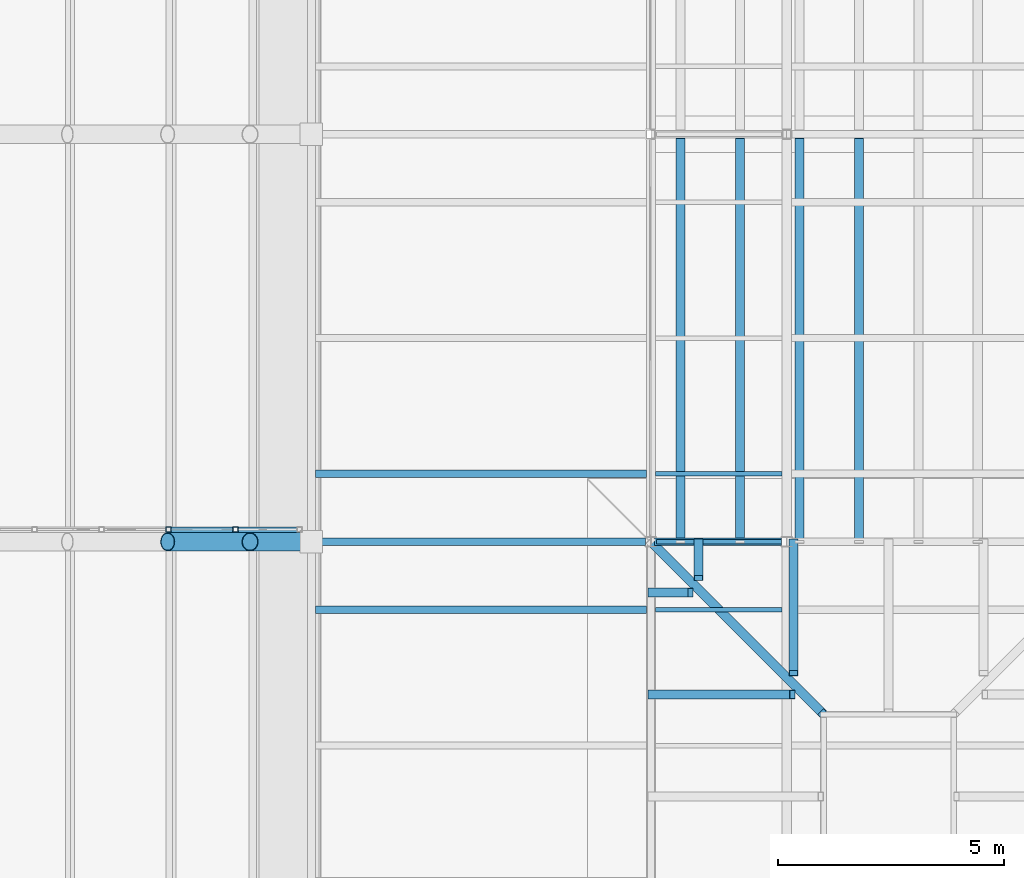
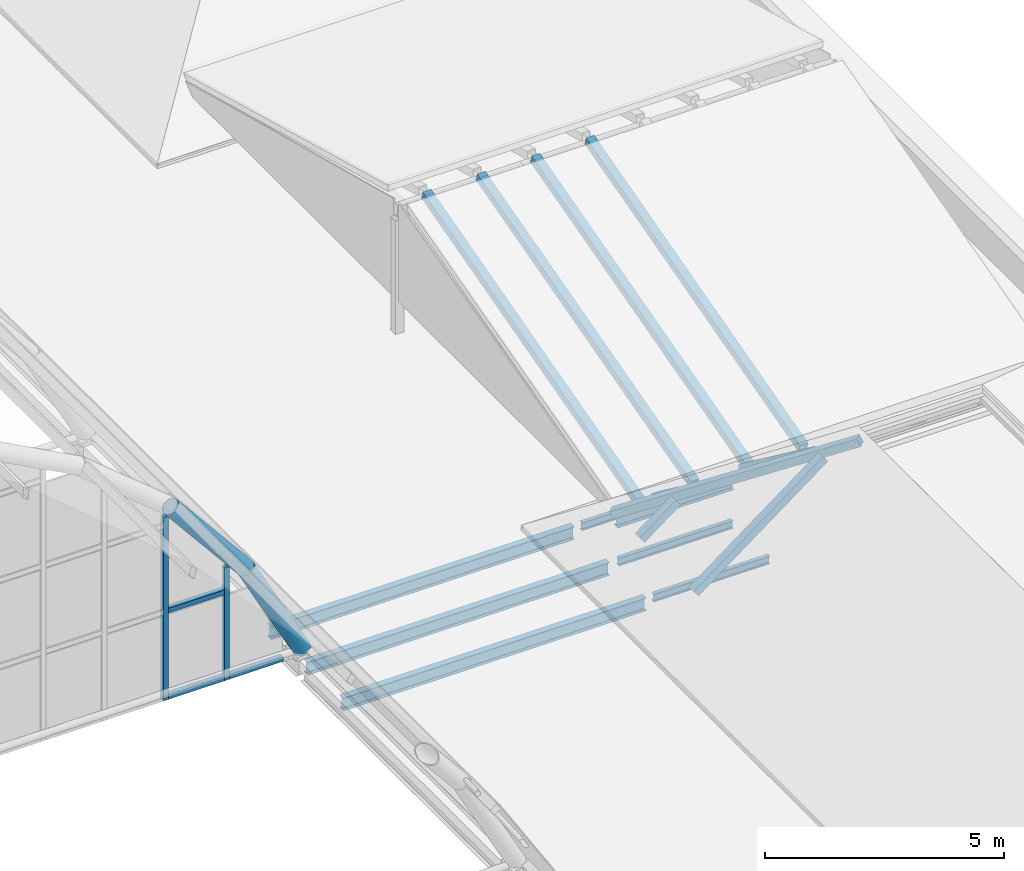
# One storey, part 31 of 121: 16 members, 7 beams, 1 element without a shape of its own.
"""IFC4 building model written with IfcOpenShell, lengths in metres."""

from ifc_helpers import new_model, si_unit, direction, frame, origin, origin_2d, place, context, subcontext, project, spatial, hollow_rectangle, hollow_circle, i_section, extrude, material, material_profile, profile_set, type_object, element, aggregate, save


model = new_model("IFC4")

# Units and contexts
model_context = context("Model", 3, precision=1e-05, world=origin(), true_north=direction((0.0, 1.0)))
body_context = subcontext(model_context, "Body", "Model", "MODEL_VIEW")
ifc_project = project(units=[si_unit("LENGTHUNIT", "METRE"), si_unit("AREAUNIT", "SQUARE_METRE"), si_unit("VOLUMEUNIT", "CUBIC_METRE"), si_unit("PLANEANGLEUNIT", "RADIAN"), si_unit("MASSUNIT", "GRAM", prefix="KILO")], contexts=[model_context])

# Site, building, storey
site_placement = place(None, origin())
site = spatial("IfcSite", under=ifc_project, at=site_placement, CompositionType="ELEMENT")
building_placement = place(site_placement, origin())
building = spatial("IfcBuilding", under=site, at=building_placement, Name="Golden Quay Civic Hall", CompositionType="ELEMENT")
storey_placement = place(building_placement, frame((0.0, 0.0, 18.60009765625)))
storey = spatial("IfcBuildingStorey", under=building, at=storey_placement, Name="L04", CompositionType="ELEMENT", Elevation=18.60009765625)

# Curtain wall, members
ifc_material_1 = material(Name="Fire-resisting glass and steel", Category="steel")
curtain_wall_type = type_object("IfcCurtainWallType", Name="Fire-resisting glazed curtain wall EI 120", PredefinedType="NOTDEFINED", material=ifc_material_1)
curtain_wall_placement = place(storey_placement, origin())
curtain_wall = element("IfcCurtainWall", 1, at=curtain_wall_placement, inside=storey, type_object=curtain_wall_type, Name="Curtain wall tympanum fire1", PredefinedType="NOTDEFINED")
ifc_material_2 = material(Name="Steel S355", Category="steel")
ifc_material_profile_1 = material_profile(ifc_material_2, hollow_rectangle(XDim=0.1201171875, YDim=0.1201171875, WallThickness=0.008056640625, at=origin_2d()), Name="SHS 120x120x8")
ifc_profile_set_1 = profile_set([ifc_material_profile_1], Name="Steel S355")
member_type_1 = type_object("IfcMemberType", Name="Fire-resisting steel mullion SHS 120x120x8", PredefinedType="MULLION", material=ifc_profile_set_1)
member_1_placement = place(storey_placement, frame((95.844482421875, 18.27001953125, -0.25), z_axis=(0.0, 0.0, 1.0), x_axis=(0.0, 1.0, 0.0)))
member_1 = element("IfcMember", 2, at=member_1_placement, type_object=member_type_1, Name="Tympanum mullion 17", PredefinedType="MULLION", context=body_context, shape_type="SweptSolid", body=[
    extrude(hollow_rectangle(XDim=0.1201171875, YDim=0.1201171875, WallThickness=0.008056640625, at=origin_2d()), origin(), (0.0, 0.0, 1.0), 4.6669921875),
])
member_2_placement = place(storey_placement, frame((97.322265625, 18.27001953125, -0.25), z_axis=(0.0, 0.0, 1.0), x_axis=(0.0, 1.0, 0.0)))
member_2 = element("IfcMember", 3, at=member_2_placement, type_object=member_type_1, Name="Tympanum mullion 18", PredefinedType="MULLION", context=body_context, shape_type="SweptSolid", body=[
    extrude(hollow_rectangle(XDim=0.1201171875, YDim=0.1201171875, WallThickness=0.008056640625, at=origin_2d()), origin(), (0.0, 0.0, 1.0), 2.8720703125),
])
ifc_material_3 = material(Name="Steel S355", Category="steel")
ifc_material_profile_2 = material_profile(ifc_material_3, hollow_rectangle(XDim=0.1201171875, YDim=0.1201171875, WallThickness=0.008056640625, at=origin_2d()), Name="SHS 120x120x8")
ifc_profile_set_2 = profile_set([ifc_material_profile_2], Name="Steel S355")
member_type_2 = type_object("IfcMemberType", Name="Fire-resisting steel transom SHS 120x120x8", PredefinedType="USERDEFINED", material=ifc_profile_set_2)
member_3_placement = place(storey_placement, frame((95.904541015625, 18.27001953125, -0.190185546875), z_axis=(1.0, 0.0, 0.0), x_axis=(0.0, 1.0, 0.0)))
member_3 = element("IfcMember", 4, at=member_3_placement, type_object=member_type_2, Name="Tympanum transom 17.1", ObjectType="TRANSOM", PredefinedType="USERDEFINED", context=body_context, shape_type="SweptSolid", body=[
    extrude(hollow_rectangle(XDim=0.1201171875, YDim=0.1201171875, WallThickness=0.008056640625, at=origin_2d()), origin(), (0.0, 0.0, 1.0), 1.357666015625),
])
member_4_placement = place(storey_placement, frame((95.904541015625, 18.27001953125, 2.010009765625), z_axis=(1.0, 0.0, 0.0), x_axis=(0.0, 1.0, 0.0)))
member_4 = element("IfcMember", 5, at=member_4_placement, type_object=member_type_2, Name="Tympanum transom 17.2", ObjectType="TRANSOM", PredefinedType="USERDEFINED", context=body_context, shape_type="SweptSolid", body=[
    extrude(hollow_rectangle(XDim=0.1201171875, YDim=0.1201171875, WallThickness=0.008056640625, at=origin_2d()), origin(), (0.0, 0.0, 1.0), 1.357666015625),
])
member_5_placement = place(storey_placement, frame((97.38232421875, 18.27001953125, -0.190185546875), z_axis=(1.0, 0.0, 0.0), x_axis=(0.0, 1.0, 0.0)))
member_5 = element("IfcMember", 6, at=member_5_placement, type_object=member_type_2, Name="Tympanum transom 18.1", ObjectType="TRANSOM", PredefinedType="USERDEFINED", context=body_context, shape_type="SweptSolid", body=[
    extrude(hollow_rectangle(XDim=0.1201171875, YDim=0.1201171875, WallThickness=0.008056640625, at=origin_2d()), origin(), (0.0, 0.0, 1.0), 1.297607421875),
])
aggregate(curtain_wall, [member_1, member_2, member_3, member_4, member_5])

# Members
ifc_material_4 = material(Name="Steel S355", Category="steel")
ifc_material_profile_3 = material_profile(ifc_material_4, hollow_circle(Radius=0.203125, WallThickness=0.01611328125, at=origin_2d()), Name="CHS 406.4x16")
ifc_profile_set_3 = profile_set([ifc_material_profile_3], Name="Steel S355")
member_type_3 = type_object("IfcMemberType", Name="Steel arch rib CHS 406.4x16", PredefinedType="USERDEFINED", material=ifc_profile_set_3)
for number, where, z_axis, x_axis, name in (
    (7, (95.826904296875, 18.0, 4.830810546875), (0.635608575128, 0.0, -0.772011489049), (0.0, 1.0, 0.0), "Arch rib 3 segment 11"),
    (8, (97.64599609375, 18.0, 2.621337890625), (0.473092307375, 0.0, -0.881012865231), (0.0, 1.0, 0.0), "Arch rib 3 segment 12"),
):
    element("IfcMember", number, at=place(storey_placement, frame(where, z_axis=z_axis, x_axis=x_axis)), inside=storey, type_object=member_type_3, Name=name, ObjectType="ARCH RIB", PredefinedType="USERDEFINED", context=body_context, shape_type="SweptSolid", body=[
        extrude(hollow_circle(Radius=0.203125, WallThickness=0.01611328125, at=origin_2d()), origin(), (0.0, 0.0, 1.0), 2.862060546875),
    ])

# Beams
ifc_material_5 = material(Name="Steel S355", Category="steel")
ifc_material_profile_4 = material_profile(ifc_material_5, i_section(OverallWidth=0.10009765625, OverallDepth=0.199951171875, WebThickness=0.005615234375, FlangeThickness=0.008544921875, FilletRadius=0.011962890625, at=origin_2d()), Name="IPE 200")
ifc_profile_set_4 = profile_set([ifc_material_profile_4], Name="Steel S355")
beam_type_1 = type_object("IfcBeamType", Name="Steel beam IPE 200", PredefinedType="BEAM", material=ifc_profile_set_4)
beam_1_placement = place(storey_placement, frame((106.6201171875, 18.0, -0.35009765625), z_axis=(1.0, 0.0, 0.0), x_axis=(0.0, 1.0, 0.0)))
element("IfcBeam", 9, at=beam_1_placement, inside=storey, type_object=beam_type_1, Name="Beam S18-106.5", PredefinedType="BEAM", context=body_context, shape_type="SweptSolid", body=[
    extrude(i_section(OverallWidth=0.10009765625, OverallDepth=0.199951171875, WebThickness=0.005615234375, FlangeThickness=0.008544921875, FilletRadius=0.011962890625, at=origin_2d()), origin(), (0.0, 0.0, 1.0), 2.759765625),
])
ifc_material_6 = material(Name="Steel S355", Category="steel")
ifc_material_profile_5 = material_profile(ifc_material_6, i_section(OverallWidth=0.159912109375, OverallDepth=0.330078125, WebThickness=0.007568359375, FlangeThickness=0.011474609375, FilletRadius=0.01806640625, at=origin_2d()), Name="IPE 330")
ifc_profile_set_5 = profile_set([ifc_material_profile_5], Name="Steel S355")
beam_type_2 = type_object("IfcBeamType", Name="Steel beam IPE 330", PredefinedType="BEAM", material=ifc_profile_set_5)
beam_2_placement = place(storey_placement, frame((99.10009765625, 18.0, -0.4150390625), z_axis=(1.0, 0.0, 0.0), x_axis=(0.0, 1.0, 0.0)))
element("IfcBeam", 10, at=beam_2_placement, inside=storey, type_object=beam_type_2, Name="Beam S18-99", PredefinedType="BEAM", context=body_context, shape_type="SweptSolid", body=[
    extrude(i_section(OverallWidth=0.159912109375, OverallDepth=0.330078125, WebThickness=0.007568359375, FlangeThickness=0.011474609375, FilletRadius=0.01806640625, at=origin_2d()), origin(), (0.0, 0.0, 1.0), 7.27978515625),
])

# Members
ifc_material_7 = material(Name="Steel S355", Category="steel")
ifc_material_profile_6 = material_profile(ifc_material_7, hollow_rectangle(XDim=0.199951171875, YDim=0.199951171875, WallThickness=0.010009765625, at=origin_2d()), Name="SHS 200x200x10")
ifc_profile_set_6 = profile_set([ifc_material_profile_6], Name="Steel S355")
member_type_4 = type_object("IfcMemberType", Name="Steel jack rafter SHS 200x200x10", PredefinedType="RAFTER", material=ifc_profile_set_6)
member_6_placement = place(storey_placement, frame((107.550048828125, 18.0, 0.96484375), z_axis=(0.0, -0.799970705032, 0.600039057971), x_axis=(1.0, 0.0, 0.0)))
element("IfcMember", 11, at=member_6_placement, inside=storey, type_object=member_type_4, Name="Jack rafter EM-S north 1", PredefinedType="RAFTER", context=body_context, shape_type="SweptSolid", body=[
    extrude(hollow_rectangle(XDim=0.199951171875, YDim=0.199951171875, WallThickness=0.010009765625, at=origin_2d()), origin(), (0.0, 0.0, 1.0), 1.0),
])
member_7_placement = place(storey_placement, frame((109.64990234375, 18.0, 0.96484375), z_axis=(0.0, -0.799983835699, 0.600021551797), x_axis=(1.0, 0.0, 0.0)))
element("IfcMember", 12, at=member_7_placement, inside=storey, type_object=member_type_4, Name="Jack rafter EM-S north 2", PredefinedType="RAFTER", context=body_context, shape_type="SweptSolid", body=[
    extrude(hollow_rectangle(XDim=0.199951171875, YDim=0.199951171875, WallThickness=0.010009765625, at=origin_2d()), origin(), (0.0, 0.0, 1.0), 3.625),
])
member_8_placement = place(storey_placement, frame((106.5, 14.625, 0.96484375), z_axis=(0.8, 0.0, 0.6), x_axis=(0.0, 1.0, 0.0)))
element("IfcMember", 13, at=member_8_placement, inside=storey, type_object=member_type_4, Name="Jack rafter EM-S west 7", PredefinedType="RAFTER", context=body_context, shape_type="SweptSolid", body=[
    extrude(hollow_rectangle(XDim=0.199951171875, YDim=0.199951171875, WallThickness=0.010009765625, at=origin_2d()), origin(), (0.0, 0.0, 1.0), 3.90625),
])
member_9_placement = place(storey_placement, frame((106.5, 16.875, 0.96484375), z_axis=(0.8, 0.0, 0.6), x_axis=(0.0, 1.0, 0.0)))
element("IfcMember", 14, at=member_9_placement, inside=storey, type_object=member_type_4, Name="Jack rafter EM-S west 8", PredefinedType="RAFTER", context=body_context, shape_type="SweptSolid", body=[
    extrude(hollow_rectangle(XDim=0.199951171875, YDim=0.199951171875, WallThickness=0.010009765625, at=origin_2d()), origin(), (0.0, 0.0, 1.0), 1.09375),
])
for number, where, z_axis, x_axis, name in (
    (15, (107.15625, 18.0, 0.988525390625), (0.0, 0.965021507217, 0.262170727977), (-1.0, 0.0, 0.0), "Gable rafter south 1"),
    (16, (108.46875, 18.0, 0.988525390625), (0.0, 0.965021507217, 0.262170727977), (-1.0, 0.0, 0.0), "Gable rafter south 2"),
    (17, (109.78125, 18.0, 0.988525390625), (0.0, 0.965021507217, 0.262170727977), (-1.0, 0.0, 0.0), "Gable rafter south 3"),
    (18, (111.09375, 18.0, 0.988525390625), (0.0, 0.965021507217, 0.262170727977), (-1.0, 0.0, 0.0), "Gable rafter south 4"),
):
    element("IfcMember", number, at=place(storey_placement, frame(where, z_axis=z_axis, x_axis=x_axis)), inside=storey, type_object=member_type_4, Name=name, PredefinedType="RAFTER", context=body_context, shape_type="SweptSolid", body=[
        extrude(hollow_rectangle(XDim=0.199951171875, YDim=0.199951171875, WallThickness=0.010009765625, at=origin_2d()), origin(), (0.0, 0.0, 1.0), 9.253662109375),
    ])

# Beams
ifc_material_8 = material(Name="Steel S355", Category="steel")
ifc_material_profile_7 = material_profile(ifc_material_8, i_section(OverallWidth=0.10009765625, OverallDepth=0.199951171875, WebThickness=0.005615234375, FlangeThickness=0.008544921875, FilletRadius=0.011962890625, at=origin_2d()), Name="IPE 200")
ifc_profile_set_7 = profile_set([ifc_material_profile_7], Name="Steel S355")
beam_type_3 = type_object("IfcBeamType", Name="Steel joist IPE 200", PredefinedType="JOIST", material=ifc_profile_set_7)
for number, where, z_axis, x_axis, name in (
    (19, (106.60009765625, 16.5, -0.35009765625), (1.0, 0.0, 0.0), (0.0, 1.0, 0.0), "Joist J16.5-106.5"),
    (20, (106.60009765625, 19.5, -0.35009765625), (1.0, 0.0, 0.0), (0.0, 1.0, 0.0), "Joist J19.5-106.5"),
):
    element("IfcBeam", number, at=place(storey_placement, frame(where, z_axis=z_axis, x_axis=x_axis)), inside=storey, type_object=beam_type_3, Name=name, PredefinedType="JOIST", context=body_context, shape_type="SweptSolid", body=[
        extrude(i_section(OverallWidth=0.10009765625, OverallDepth=0.199951171875, WebThickness=0.005615234375, FlangeThickness=0.008544921875, FilletRadius=0.011962890625, at=origin_2d()), origin(), (0.0, 0.0, 1.0), 2.7998046875),
    ])
ifc_material_9 = material(Name="Steel S355", Category="steel")
ifc_material_profile_8 = material_profile(ifc_material_9, i_section(OverallWidth=0.159912109375, OverallDepth=0.330078125, WebThickness=0.007568359375, FlangeThickness=0.011474609375, FilletRadius=0.01806640625, at=origin_2d()), Name="IPE 330")
ifc_profile_set_8 = profile_set([ifc_material_profile_8], Name="Steel S355")
beam_type_4 = type_object("IfcBeamType", Name="Steel joist IPE 330", PredefinedType="JOIST", material=ifc_profile_set_8)
for number, where, z_axis, x_axis, name in (
    (21, (99.090087890625, 16.5, -0.4150390625), (1.0, 0.0, 0.0), (0.0, 1.0, 0.0), "Joist J16.5-99"),
    (22, (99.090087890625, 19.5, -0.4150390625), (1.0, 0.0, 0.0), (0.0, 1.0, 0.0), "Joist J19.5-99"),
):
    element("IfcBeam", number, at=place(storey_placement, frame(where, z_axis=z_axis, x_axis=x_axis)), inside=storey, type_object=beam_type_4, Name=name, PredefinedType="JOIST", context=body_context, shape_type="SweptSolid", body=[
        extrude(i_section(OverallWidth=0.159912109375, OverallDepth=0.330078125, WebThickness=0.007568359375, FlangeThickness=0.011474609375, FilletRadius=0.01806640625, at=origin_2d()), origin(), (0.0, 0.0, 1.0), 7.309814453125),
    ])

# Member
ifc_material_10 = material(Name="Steel S355", Category="steel")
ifc_material_profile_9 = material_profile(ifc_material_10, hollow_rectangle(XDim=0.199951171875, YDim=0.199951171875, WallThickness=0.010009765625, at=origin_2d()), Name="SHS 200x200x10")
ifc_profile_set_9 = profile_set([ifc_material_profile_9], Name="Steel S355")
member_type_5 = type_object("IfcMemberType", Name="Steel pavilion hip rafter SHS 200x200x10", PredefinedType="RAFTER", material=ifc_profile_set_9)
member_10_placement = place(storey_placement, frame((106.5, 18.0, 0.92822265625), z_axis=(0.625782928891, -0.625782928891, 0.465608689584), x_axis=(0.707106781187, 0.707106781187, 0.0)))
element("IfcMember", 23, at=member_10_placement, inside=storey, type_object=member_type_5, Name="Hip rafter EM-S north-west", PredefinedType="RAFTER", context=body_context, shape_type="SweptSolid", body=[
    extrude(hollow_rectangle(XDim=0.199951171875, YDim=0.199951171875, WallThickness=0.010009765625, at=origin_2d()), origin(), (0.0, 0.0, 1.0), 6.04052734375),
])

# Beam
ifc_material_11 = material(Name="Steel S355", Category="steel")
ifc_material_profile_10 = material_profile(ifc_material_11, i_section(OverallWidth=0.159912109375, OverallDepth=0.330078125, WebThickness=0.007568359375, FlangeThickness=0.011474609375, FilletRadius=0.01806640625, at=origin_2d()), Name="IPE 330")
ifc_profile_set_10 = profile_set([ifc_material_profile_10], Name="Steel S355")
beam_type_5 = type_object("IfcBeamType", Name="Steel wall plate beam IPE 330", PredefinedType="BEAM", material=ifc_profile_set_10)
beam_3_placement = place(storey_placement, frame((106.580078125, 18.0, 0.719970703125), z_axis=(1.0, 0.0, 0.0), x_axis=(0.0, 1.0, 0.0)))
element("IfcBeam", 24, at=beam_3_placement, inside=storey, type_object=beam_type_5, Name="Wall plate beam EM-S N1", PredefinedType="BEAM", context=body_context, shape_type="SweptSolid", body=[
    extrude(i_section(OverallWidth=0.159912109375, OverallDepth=0.330078125, WebThickness=0.007568359375, FlangeThickness=0.011474609375, FilletRadius=0.01806640625, at=origin_2d()), origin(), (0.0, 0.0, 1.0), 2.7998046875),
])

save(model, "model.ifc")
